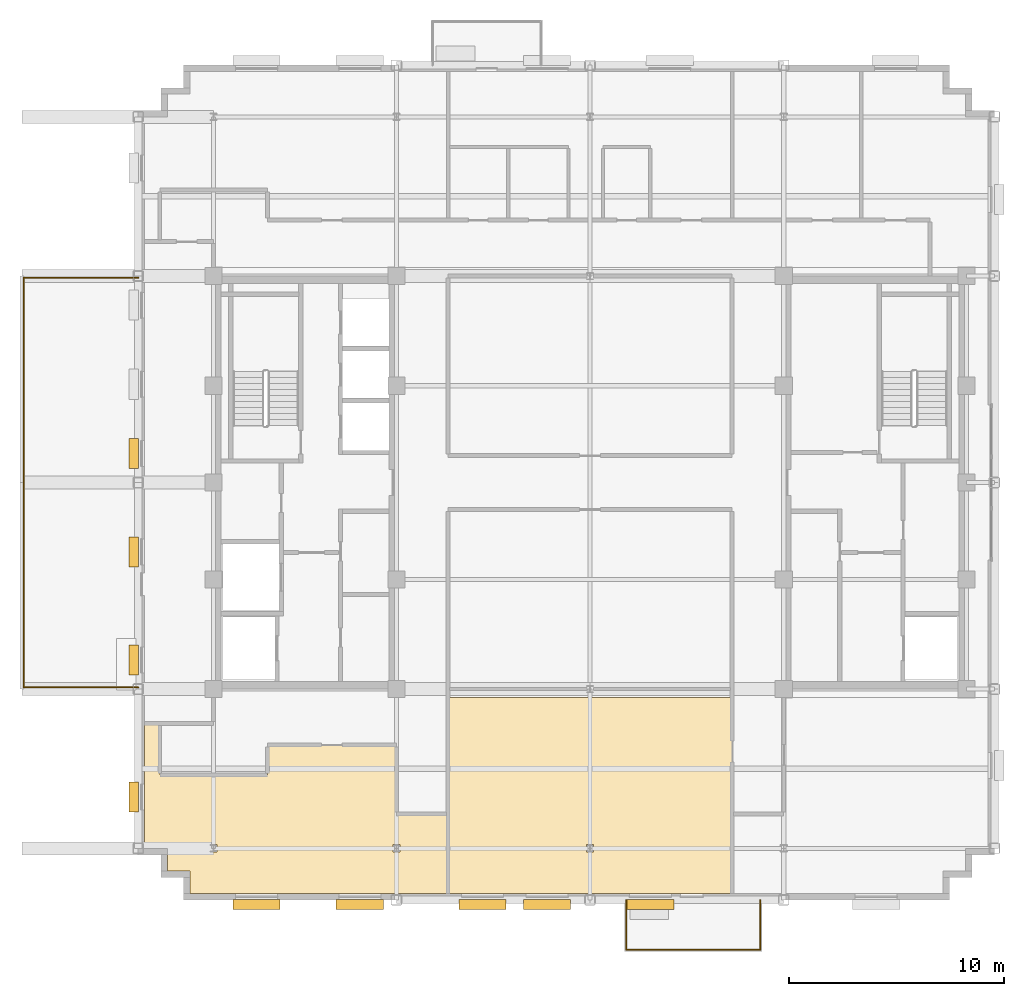
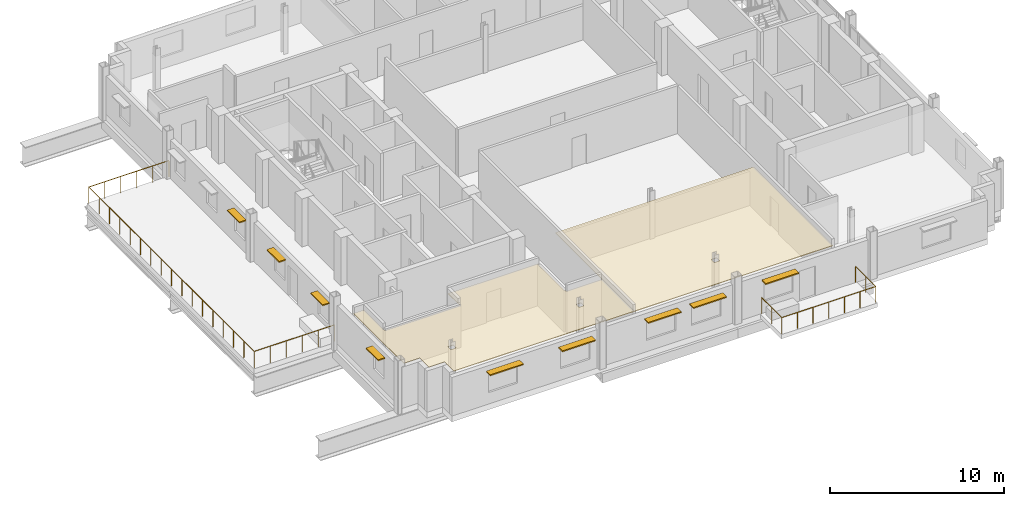
# One storey, part 11 of 14: 9 shading devices, 2 coverings, 2 railings.
"""IFC4 building model written with IfcOpenShell, lengths in metres."""

from ifc_helpers import new_model, si_unit, direction, frame, origin, origin_2d, place, context, subcontext, project, spatial, polyline, rectangle, circle, outline, extrude, source, transform, mapped, material, layer, layer_set, type_object, type_shapes, element, save


model = new_model("IFC4")

# Units and contexts
model_context = context("Model", 3, precision=1e-05, world=origin(), true_north=direction((0.0, 1.0)))
body_context = subcontext(model_context, "Body", "Model", "MODEL_VIEW")
ifc_project = project(units=[si_unit("LENGTHUNIT", "METRE"), si_unit("AREAUNIT", "SQUARE_METRE"), si_unit("VOLUMEUNIT", "CUBIC_METRE"), si_unit("PLANEANGLEUNIT", "RADIAN"), si_unit("MASSUNIT", "GRAM", prefix="KILO")], contexts=[model_context])

# Site, building, storey
site_placement = place(None, origin())
site = spatial("IfcSite", under=ifc_project, at=site_placement, CompositionType="ELEMENT")
building_placement = place(site_placement, origin())
building = spatial("IfcBuilding", under=site, at=building_placement, Name="Nuvemarco Arch Tower", CompositionType="ELEMENT")
storey_placement = place(building_placement, frame((0.0, 0.0, 245.64990234375)))
storey = spatial("IfcBuildingStorey", under=building, at=storey_placement, Name="L65", CompositionType="ELEMENT", Elevation=245.64990234375)

# Coverings
ifc_material_1 = material(Name="Mineral acoustic ceiling tile")
ifc_layer = layer(ifc_material_1, 0.0400390625, Name="COV-ACOUSTIC-CLG")
ifc_layer_set = layer_set([ifc_layer], Name="Mineral acoustic ceiling tile")
covering_type = type_object("IfcCoveringType", Name="COV-ACOUSTIC-CLG", PredefinedType="CEILING", material=ifc_layer_set)
covering_1_placement = place(storey_placement, frame((0.0, 0.0, 2.85009765625)))
element("IfcCovering", 1, at=covering_1_placement, inside=storey, type_object=covering_type, Name="L65 suspended acoustic ceiling 1", PredefinedType="CEILING", context=body_context, shape_type="SweptSolid", body=[
    extrude(outline(polyline([(6.60009765625, -15.39990234375), (6.60009765625, -19.10009765625), (-6.60009765625, -19.10009765625), (-6.60009765625, -15.39990234375), (-6.60009765625, -12.199951171875), (-6.60009765625, -10.0), (6.60009765625, -10.0), (6.60009765625, -15.39990234375)]), holes=[polyline([(0.169921875, -17.169921875), (0.169921875, -16.830078125), (-0.169921875, -16.830078125), (-0.169921875, -17.169921875), (0.169921875, -17.169921875)])]), origin(), (0.0, 0.0, 1.0), 0.0400390625),
])
covering_2_placement = place(storey_placement, frame((0.0, 0.0, 2.85009765625)))
element("IfcCovering", 2, at=covering_2_placement, inside=storey, type_object=covering_type, Name="L65 suspended acoustic ceiling 4", PredefinedType="CEILING", context=body_context, shape_type="SweptSolid", body=[
    extrude(outline(polyline([(-20.699951171875, -17.0), (-20.699951171875, -11.199951171875), (-20.0, -11.199951171875), (-20.0, -13.60009765625), (-15.0, -13.60009765625), (-15.0, -12.199951171875), (-9.0, -12.199951171875), (-9.0, -15.39990234375), (-6.60009765625, -15.39990234375), (-6.60009765625, -19.10009765625), (-18.60009765625, -19.10009765625), (-18.60009765625, -18.050048828125), (-19.64990234375, -18.050048828125), (-19.64990234375, -17.0), (-20.699951171875, -17.0)]), holes=[polyline([(-17.330078125, -16.830078125), (-17.669921875, -16.830078125), (-17.669921875, -17.169921875), (-17.330078125, -17.169921875), (-17.330078125, -16.830078125)]), polyline([(-8.830078125, -16.830078125), (-9.169921875, -16.830078125), (-9.169921875, -17.169921875), (-8.830078125, -17.169921875), (-8.830078125, -16.830078125)])]), origin(), (0.0, 0.0, 1.0), 0.0400390625),
])

# Railings
ifc_material_2 = material(Name="Dark anodised balustrade steel S355", Category="steel")
railing_type_1 = type_object("IfcRailingType", Name="RL-SETBACK-GUARD", PredefinedType="BALUSTRADE", material=ifc_material_2)
railing_1_placement = place(storey_placement, frame((-21.0, -9.52001953125, 0.0)))
element("IfcRailing", 3, at=railing_1_placement, inside=storey, type_object=railing_type_1, Name="L65 setback terrace perimeter balustrade guard", PredefinedType="BALUSTRADE", context=body_context, shape_type="SweptSolid", body=[
    extrude(circle(Radius=0.02392578125, at=origin_2d()), frame((0.0, 0.0, 1.15576171875), z_axis=(-1.0, 0.0, 0.0), x_axis=(0.0, -1.0, 0.0)), (0.0, 0.0, 1.0), 5.320068359375),
    extrude(circle(Radius=0.02392578125, at=origin_2d()), frame((-5.320068359375, 0.0, 1.15576171875), z_axis=(0.0, 1.0, 0.0), x_axis=(-1.0, 0.0, 0.0)), (0.0, 0.0, 1.0), 19.0400390625),
    extrude(circle(Radius=0.02392578125, at=origin_2d()), frame((-5.320068359375, 19.0400390625, 1.15576171875), z_axis=(1.0, 0.0, 0.0), x_axis=(0.0, 1.0, 0.0)), (0.0, 0.0, 1.0), 5.320068359375),
    extrude(circle(Radius=0.02099609375, at=origin_2d()), origin(), (0.0, 0.0, 1.0), 1.1318359375),
    extrude(circle(Radius=0.02099609375, at=origin_2d()), frame((-1.06396484375, 0.0, 0.0)), (0.0, 0.0, 1.0), 1.1318359375),
    extrude(circle(Radius=0.02099609375, at=origin_2d()), frame((-2.1279296875, 0.0, 0.0)), (0.0, 0.0, 1.0), 1.1318359375),
    extrude(circle(Radius=0.02099609375, at=origin_2d()), frame((-3.192138671875, 0.0, 0.0)), (0.0, 0.0, 1.0), 1.1318359375),
    extrude(circle(Radius=0.02099609375, at=origin_2d()), frame((-4.256103515625, 0.0, 0.0)), (0.0, 0.0, 1.0), 1.1318359375),
    extrude(circle(Radius=0.02099609375, at=origin_2d()), frame((-5.320068359375, 0.0, 0.0)), (0.0, 0.0, 1.0), 1.1318359375),
    extrude(circle(Radius=0.02099609375, at=origin_2d()), frame((-5.320068359375, 1.18994140625, 0.0)), (0.0, 0.0, 1.0), 1.1318359375),
    extrude(circle(Radius=0.02099609375, at=origin_2d()), frame((-5.320068359375, 2.3798828125, 0.0)), (0.0, 0.0, 1.0), 1.1318359375),
    extrude(circle(Radius=0.02099609375, at=origin_2d()), frame((-5.320068359375, 3.570068359375, 0.0)), (0.0, 0.0, 1.0), 1.1318359375),
    extrude(circle(Radius=0.02099609375, at=origin_2d()), frame((-5.320068359375, 4.760009765625, 0.0)), (0.0, 0.0, 1.0), 1.1318359375),
    extrude(circle(Radius=0.02099609375, at=origin_2d()), frame((-5.320068359375, 5.949951171875, 0.0)), (0.0, 0.0, 1.0), 1.1318359375),
    extrude(circle(Radius=0.02099609375, at=origin_2d()), frame((-5.320068359375, 7.14013671875, 0.0)), (0.0, 0.0, 1.0), 1.1318359375),
    extrude(circle(Radius=0.02099609375, at=origin_2d()), frame((-5.320068359375, 8.330078125, 0.0)), (0.0, 0.0, 1.0), 1.1318359375),
    extrude(circle(Radius=0.02099609375, at=origin_2d()), frame((-5.320068359375, 9.52001953125, 0.0)), (0.0, 0.0, 1.0), 1.1318359375),
    extrude(circle(Radius=0.02099609375, at=origin_2d()), frame((-5.320068359375, 10.7099609375, 0.0)), (0.0, 0.0, 1.0), 1.1318359375),
    extrude(circle(Radius=0.02099609375, at=origin_2d()), frame((-5.320068359375, 11.89990234375, 0.0)), (0.0, 0.0, 1.0), 1.1318359375),
    extrude(circle(Radius=0.02099609375, at=origin_2d()), frame((-5.320068359375, 13.090087890625, 0.0)), (0.0, 0.0, 1.0), 1.1318359375),
    extrude(circle(Radius=0.02099609375, at=origin_2d()), frame((-5.320068359375, 14.280029296875, 0.0)), (0.0, 0.0, 1.0), 1.1318359375),
    extrude(circle(Radius=0.02099609375, at=origin_2d()), frame((-5.320068359375, 15.469970703125, 0.0)), (0.0, 0.0, 1.0), 1.1318359375),
    extrude(circle(Radius=0.02099609375, at=origin_2d()), frame((-5.320068359375, 16.66015625, 0.0)), (0.0, 0.0, 1.0), 1.1318359375),
    extrude(circle(Radius=0.02099609375, at=origin_2d()), frame((-5.320068359375, 17.85009765625, 0.0)), (0.0, 0.0, 1.0), 1.1318359375),
    extrude(circle(Radius=0.02099609375, at=origin_2d()), frame((-5.320068359375, 19.0400390625, 0.0)), (0.0, 0.0, 1.0), 1.1318359375),
    extrude(circle(Radius=0.02099609375, at=origin_2d()), frame((-4.256103515625, 19.0400390625, 0.0)), (0.0, 0.0, 1.0), 1.1318359375),
    extrude(circle(Radius=0.02099609375, at=origin_2d()), frame((-3.192138671875, 19.0400390625, 0.0)), (0.0, 0.0, 1.0), 1.1318359375),
    extrude(circle(Radius=0.02099609375, at=origin_2d()), frame((-2.1279296875, 19.0400390625, 0.0)), (0.0, 0.0, 1.0), 1.1318359375),
    extrude(circle(Radius=0.02099609375, at=origin_2d()), frame((-1.06396484375, 19.0400390625, 0.0)), (0.0, 0.0, 1.0), 1.1318359375),
    extrude(circle(Radius=0.02099609375, at=origin_2d()), frame((0.0, 19.0400390625, 0.0)), (0.0, 0.0, 1.0), 1.1318359375),
])
railing_type_2 = type_object("IfcRailingType", Name="RL-TERR-GUARD", PredefinedType="BALUSTRADE", material=ifc_material_2)
railing_2_placement = place(storey_placement, frame((1.679931640625, -19.39990234375, 0.0)))
element("IfcRailing", 4, at=railing_2_placement, inside=storey, type_object=railing_type_2, Name="L65 spiral terrace perimeter balustrade guard", PredefinedType="BALUSTRADE", context=body_context, shape_type="SweptSolid", body=[
    extrude(circle(Radius=0.02392578125, at=origin_2d()), frame((0.0, 0.0, 1.1259765625), z_axis=(0.0, -1.0, 0.0), x_axis=(1.0, 0.0, 0.0)), (0.0, 0.0, 1.0), 2.320068359375),
    extrude(circle(Radius=0.02392578125, at=origin_2d()), frame((0.0, -2.320068359375, 1.1259765625), z_axis=(1.0, 0.0, 0.0), x_axis=(0.0, 1.0, 0.0)), (0.0, 0.0, 1.0), 6.239990234375),
    extrude(circle(Radius=0.02392578125, at=origin_2d()), frame((6.239990234375, -2.320068359375, 1.1259765625), z_axis=(0.0, 1.0, 0.0), x_axis=(-1.0, 0.0, 0.0)), (0.0, 0.0, 1.0), 2.320068359375),
    extrude(circle(Radius=0.02099609375, at=origin_2d()), origin(), (0.0, 0.0, 1.0), 1.101806640625),
    extrude(circle(Radius=0.02099609375, at=origin_2d()), frame((0.0, -1.16015625, 0.0)), (0.0, 0.0, 1.0), 1.101806640625),
    extrude(circle(Radius=0.02099609375, at=origin_2d()), frame((0.0, -2.320068359375, 0.0)), (0.0, 0.0, 1.0), 1.101806640625),
    extrude(circle(Radius=0.02099609375, at=origin_2d()), frame((1.0400390625, -2.320068359375, 0.0)), (0.0, 0.0, 1.0), 1.101806640625),
    extrude(circle(Radius=0.02099609375, at=origin_2d()), frame((2.080078125, -2.320068359375, 0.0)), (0.0, 0.0, 1.0), 1.101806640625),
    extrude(circle(Radius=0.02099609375, at=origin_2d()), frame((3.1201171875, -2.320068359375, 0.0)), (0.0, 0.0, 1.0), 1.101806640625),
    extrude(circle(Radius=0.02099609375, at=origin_2d()), frame((4.159912109375, -2.320068359375, 0.0)), (0.0, 0.0, 1.0), 1.101806640625),
    extrude(circle(Radius=0.02099609375, at=origin_2d()), frame((5.199951171875, -2.320068359375, 0.0)), (0.0, 0.0, 1.0), 1.101806640625),
    extrude(circle(Radius=0.02099609375, at=origin_2d()), frame((6.239990234375, -2.320068359375, 0.0)), (0.0, 0.0, 1.0), 1.101806640625),
    extrude(circle(Radius=0.02099609375, at=origin_2d()), frame((6.239990234375, -1.16015625, 0.0)), (0.0, 0.0, 1.0), 1.101806640625),
    extrude(circle(Radius=0.02099609375, at=origin_2d()), frame((6.239990234375, 0.0, 0.0)), (0.0, 0.0, 1.0), 1.101806640625),
])

# Shading devices
ifc_material_3 = material(Name="Anodised aluminium 6063-T6", Category="aluminium")
shading_device_type_1 = type_object("IfcShadingDeviceType", Name="SHD-BRISE-SOLEIL", PredefinedType="USERDEFINED", material=ifc_material_3)
shared_shape_1 = source(origin(), body_context, "Body", "SweptSolid", [
    extrude(rectangle(XDim=2.199951171875, YDim=0.449951171875, at=origin_2d()), origin(), (0.0, 0.0, 1.0), 0.080078125),
])
type_shapes(shading_device_type_1, [shared_shape_1])
for number, where, z_axis, x_axis, name in (
    (5, (-15.5, -19.614990234375, 2.28515625), (0.0, 0.0, 1.0), (1.0, 0.0, 0.0), "L65 horizontal brise-soleil sunshade"),
    (6, (-10.699951171875, -19.614990234375, 2.28515625), (0.0, 0.0, 1.0), (1.0, 0.0, 0.0), "L65 horizontal brise-soleil sunshade"),
    (7, (-5.0, -19.614990234375, 2.28515625), (0.0, 0.0, 1.0), (1.0, 0.0, 0.0), "L65 horizontal brise-soleil sunshade"),
    (8, (-2.0, -19.614990234375, 2.28515625), (0.0, 0.0, 1.0), (1.0, 0.0, 0.0), "L65 horizontal brise-soleil sunshade"),
    (9, (2.800048828125, -19.614990234375, 2.28515625), (0.0, 0.0, 1.0), (1.0, 0.0, 0.0), "L65 horizontal brise-soleil sunshade"),
):
    element("IfcShadingDevice", number, at=place(storey_placement, frame(where, z_axis=z_axis, x_axis=x_axis)), inside=storey, type_object=shading_device_type_1, Name=name, ObjectType="SUNSHADE", PredefinedType="USERDEFINED", context=body_context, shape_type="MappedRepresentation", body=[
        mapped(shared_shape_1, transform((0.0, 0.0, 0.0), scale=1.0)),
    ])
shading_device_type_2 = type_object("IfcShadingDeviceType", Name="SHD-BRISE-NARROW", PredefinedType="USERDEFINED", material=ifc_material_3)
shared_shape_2 = source(origin(), body_context, "Body", "SweptSolid", [
    extrude(rectangle(XDim=1.39990234375, YDim=0.449951171875, at=origin_2d()), origin(), (0.0, 0.0, 1.0), 0.080078125),
])
type_shapes(shading_device_type_2, [shared_shape_2])
for number, where, z_axis, x_axis, name in (
    (10, (-21.215087890625, -14.61767578125, 2.28515625), (0.0, 0.0, 1.0), (0.0, 1.0, 0.0), "L65 horizontal brise-soleil sunshade"),
    (11, (-21.215087890625, -8.2451171875, 2.28515625), (0.0, 0.0, 1.0), (0.0, 1.0, 0.0), "L65 horizontal brise-soleil sunshade"),
    (12, (-21.215087890625, -3.22265625, 2.28515625), (0.0, 0.0, 1.0), (0.0, 1.0, 0.0), "L65 horizontal brise-soleil sunshade"),
    (13, (-21.215087890625, 1.35009765625, 2.28515625), (0.0, 0.0, 1.0), (0.0, 1.0, 0.0), "L65 horizontal brise-soleil sunshade"),
):
    element("IfcShadingDevice", number, at=place(storey_placement, frame(where, z_axis=z_axis, x_axis=x_axis)), inside=storey, type_object=shading_device_type_2, Name=name, ObjectType="SUNSHADE", PredefinedType="USERDEFINED", context=body_context, shape_type="MappedRepresentation", body=[
        mapped(shared_shape_2, transform((0.0, 0.0, 0.0), scale=1.0)),
    ])

save(model, "model.ifc")
